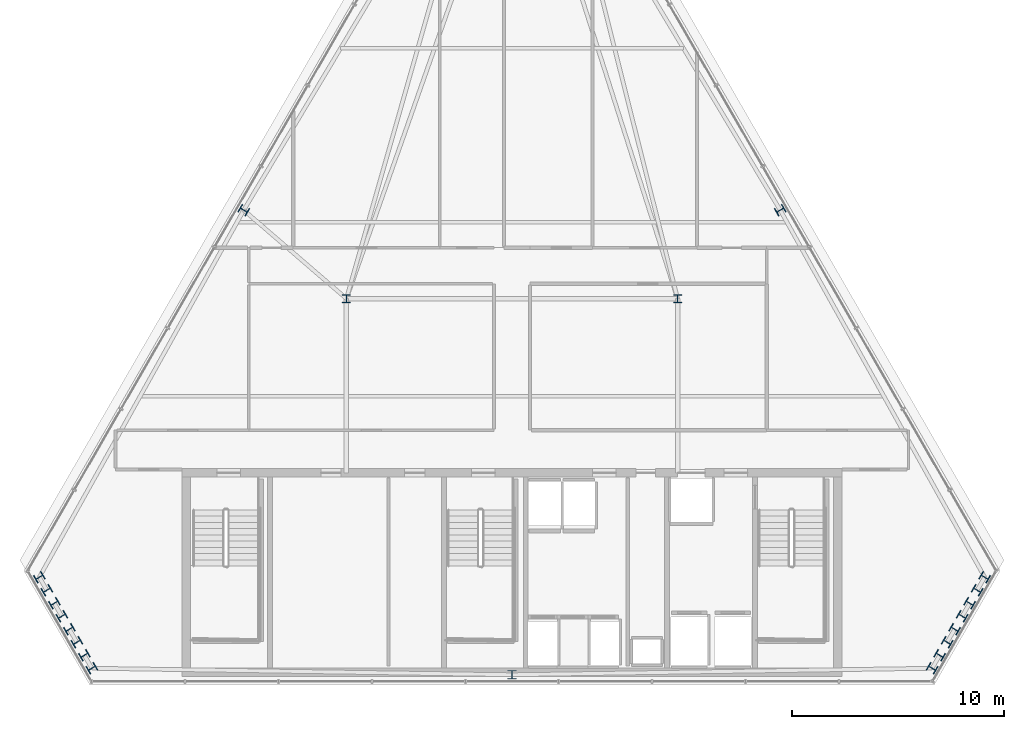
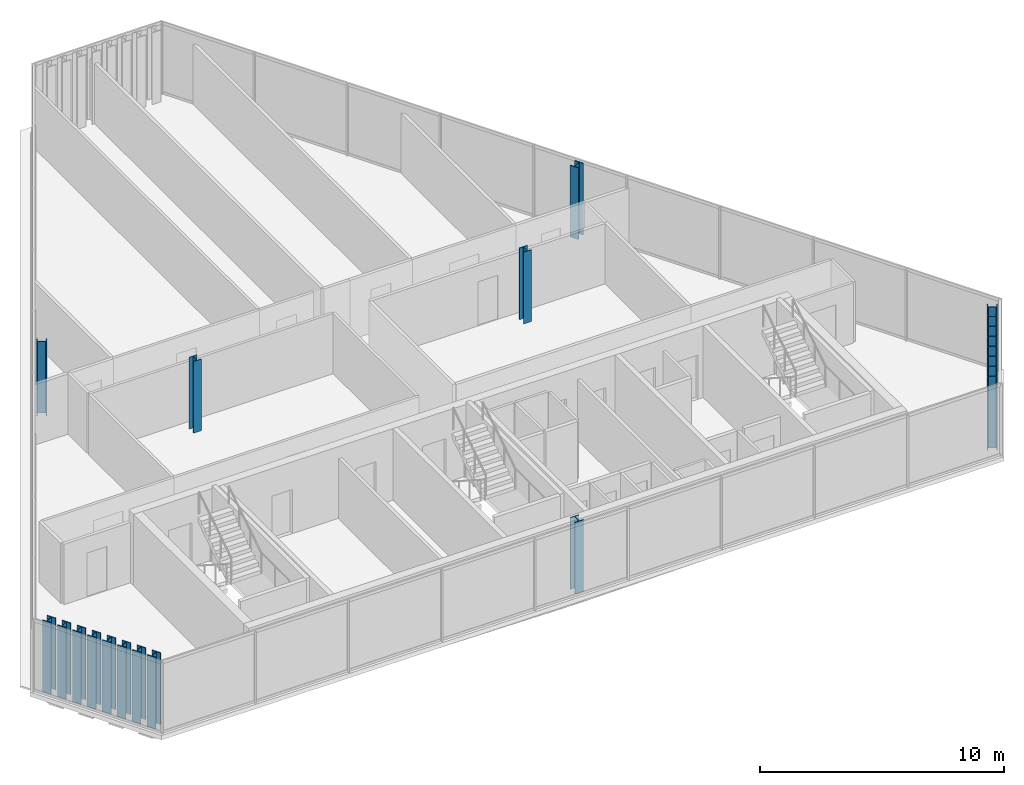
# One storey, part 1 of 32: 21 columns.
"""IFC4 building model written with IfcOpenShell, lengths in metres."""

from ifc_helpers import new_model, si_unit, direction, frame, origin, origin_2d, place, context, subcontext, project, spatial, i_section, extrude, material, material_profile, profile_set, type_object, element, save


model = new_model("IFC4")

# Units and contexts
model_context = context("Model", 3, precision=1e-05, world=origin(), true_north=direction((0.0, 1.0)))
body_context = subcontext(model_context, "Body", "Model", "MODEL_VIEW")
ifc_project = project(units=[si_unit("LENGTHUNIT", "METRE"), si_unit("AREAUNIT", "SQUARE_METRE"), si_unit("VOLUMEUNIT", "CUBIC_METRE"), si_unit("PLANEANGLEUNIT", "RADIAN"), si_unit("MASSUNIT", "GRAM", prefix="KILO")], contexts=[model_context])

# Site, building, storey
site_placement = place(None, origin())
site = spatial("IfcSite", under=ifc_project, at=site_placement, CompositionType="ELEMENT")
building_placement = place(site_placement, origin())
building = spatial("IfcBuilding", under=site, at=building_placement, Name="Ndaravel Arena Tower", CompositionType="ELEMENT")
storey_placement = place(building_placement, frame((0.0, 0.0, 252.199951171875)))
storey = spatial("IfcBuildingStorey", under=building, at=storey_placement, Name="L61", CompositionType="ELEMENT", Elevation=252.199951171875)

# Columns
ifc_material_1 = material(Name="Steel S355", Category="steel")
ifc_material_profile_1 = material_profile(ifc_material_1, i_section(OverallWidth=0.374755859375, OverallDepth=0.37451171875, WebThickness=0.0166015625, FlangeThickness=0.027099609375, FilletRadius=0.01513671875, at=origin_2d()), Name="UC 356x368x202")
ifc_profile_set_1 = profile_set([ifc_material_profile_1], Name="Steel S355")
column_type_1 = type_object("IfcColumnType", Name="COL-CRN-UC202", PredefinedType="COLUMN", material=ifc_profile_set_1)
for number, where, z_axis, x_axis, name in (
    (1, (34.199951171875, 23.199951171875, 0.0), (0.0, 0.0, 1.0), (1.0, 0.0, 0.0), "L61 Interior Spine Column IC-01"),
    (2, (49.800048828125, 23.199951171875, 0.0), (0.0, 0.0, 1.0), (1.0, 0.0, 0.0), "L61 Interior Spine Column IC-02"),
):
    element("IfcColumn", number, at=place(storey_placement, frame(where, z_axis=z_axis, x_axis=x_axis)), inside=storey, type_object=column_type_1, Name=name, PredefinedType="COLUMN", context=body_context, shape_type="SweptSolid", body=[
        extrude(i_section(OverallWidth=0.374755859375, OverallDepth=0.37451171875, WebThickness=0.0166015625, FlangeThickness=0.027099609375, FilletRadius=0.01513671875, at=origin_2d()), origin(), (0.0, 0.0, 1.0), 3.580078125),
    ])
ifc_material_2 = material(Name="Steel S355", Category="steel")
ifc_material_profile_2 = material_profile(ifc_material_2, i_section(OverallWidth=0.406005859375, OverallDepth=0.416015625, WebThickness=0.02978515625, FlangeThickness=0.03662109375, FilletRadius=0.014892578125, at=origin_2d()), Name="HD 400x382")
ifc_profile_set_2 = profile_set([ifc_material_profile_2], Name="Steel S355")
column_type_2 = type_object("IfcColumnType", Name="COL-TUBE-HD382", PredefinedType="COLUMN", material=ifc_profile_set_2)
for number, where, z_axis, x_axis, name in (
    (3, (42.0, 5.47998046875, 0.0), (0.0, 0.0, 1.0), (1.0, 0.0, 0.0), "L61 Framed Tube Column TC-01"),
    (4, (61.794921875, 5.7861328125, 0.0), (0.0, 0.0, 1.0), (0.5, 0.866025403784, 0.0), "L61 Framed Tube Column TC-02"),
    (5, (62.148681640625, 6.398681640625, 0.0), (0.0, 0.0, 1.0), (0.5, 0.866025403784, 0.0), "L61 Framed Tube Column TC-03"),
    (6, (62.502197265625, 7.01123046875, 0.0), (0.0, 0.0, 1.0), (0.5, 0.866025403784, 0.0), "L61 Framed Tube Column TC-04"),
    (7, (62.855712890625, 7.623779296875, 0.0), (0.0, 0.0, 1.0), (0.5, 0.866025403784, 0.0), "L61 Framed Tube Column TC-05"),
    (8, (63.20947265625, 8.236083984375, 0.0), (0.0, 0.0, 1.0), (0.5, 0.866025403784, 0.0), "L61 Framed Tube Column TC-06"),
    (9, (63.56298828125, 8.8486328125, 0.0), (0.0, 0.0, 1.0), (0.5, 0.866025403784, 0.0), "L61 Framed Tube Column TC-07"),
    (10, (63.916748046875, 9.461181640625, 0.0), (0.0, 0.0, 1.0), (0.5, 0.866025403784, 0.0), "L61 Framed Tube Column TC-08"),
    (11, (64.270263671875, 10.073486328125, 0.0), (0.0, 0.0, 1.0), (0.5, 0.866025403784, 0.0), "L61 Framed Tube Column TC-09"),
    (12, (54.63818359375, 27.36962890625, 0.0), (0.0, 0.0, 1.0), (-0.5, 0.866025403784, 0.0), "L61 Framed Tube Column TC-10"),
    (13, (29.362060546875, 27.36962890625, 0.0), (0.0, 0.0, 1.0), (0.5, 0.866025403784, 0.0), "L61 Framed Tube Column TC-19"),
    (14, (19.729736328125, 10.073486328125, 0.0), (0.0, 0.0, 1.0), (-0.5, 0.866025403784, 0.0), "L61 Framed Tube Column TC-20"),
    (15, (20.083251953125, 9.461181640625, 0.0), (0.0, 0.0, 1.0), (-0.5, 0.866025403784, 0.0), "L61 Framed Tube Column TC-21"),
    (16, (20.43701171875, 8.8486328125, 0.0), (0.0, 0.0, 1.0), (-0.5, 0.866025403784, 0.0), "L61 Framed Tube Column TC-22"),
    (17, (20.79052734375, 8.236083984375, 0.0), (0.0, 0.0, 1.0), (-0.5, 0.866025403784, 0.0), "L61 Framed Tube Column TC-23"),
    (18, (21.144287109375, 7.623779296875, 0.0), (0.0, 0.0, 1.0), (-0.5, 0.866025403784, 0.0), "L61 Framed Tube Column TC-24"),
    (19, (21.497802734375, 7.01123046875, 0.0), (0.0, 0.0, 1.0), (-0.5, 0.866025403784, 0.0), "L61 Framed Tube Column TC-25"),
    (20, (21.851318359375, 6.398681640625, 0.0), (0.0, 0.0, 1.0), (-0.5, 0.866025403784, 0.0), "L61 Framed Tube Column TC-26"),
    (21, (22.205078125, 5.7861328125, 0.0), (0.0, 0.0, 1.0), (-0.5, 0.866025403784, 0.0), "L61 Framed Tube Column TC-27"),
):
    element("IfcColumn", number, at=place(storey_placement, frame(where, z_axis=z_axis, x_axis=x_axis)), inside=storey, type_object=column_type_2, Name=name, PredefinedType="COLUMN", context=body_context, shape_type="SweptSolid", body=[
        extrude(i_section(OverallWidth=0.406005859375, OverallDepth=0.416015625, WebThickness=0.02978515625, FlangeThickness=0.03662109375, FilletRadius=0.014892578125, at=origin_2d()), origin(), (0.0, 0.0, 1.0), 3.580078125),
    ])

save(model, "model.ifc")
